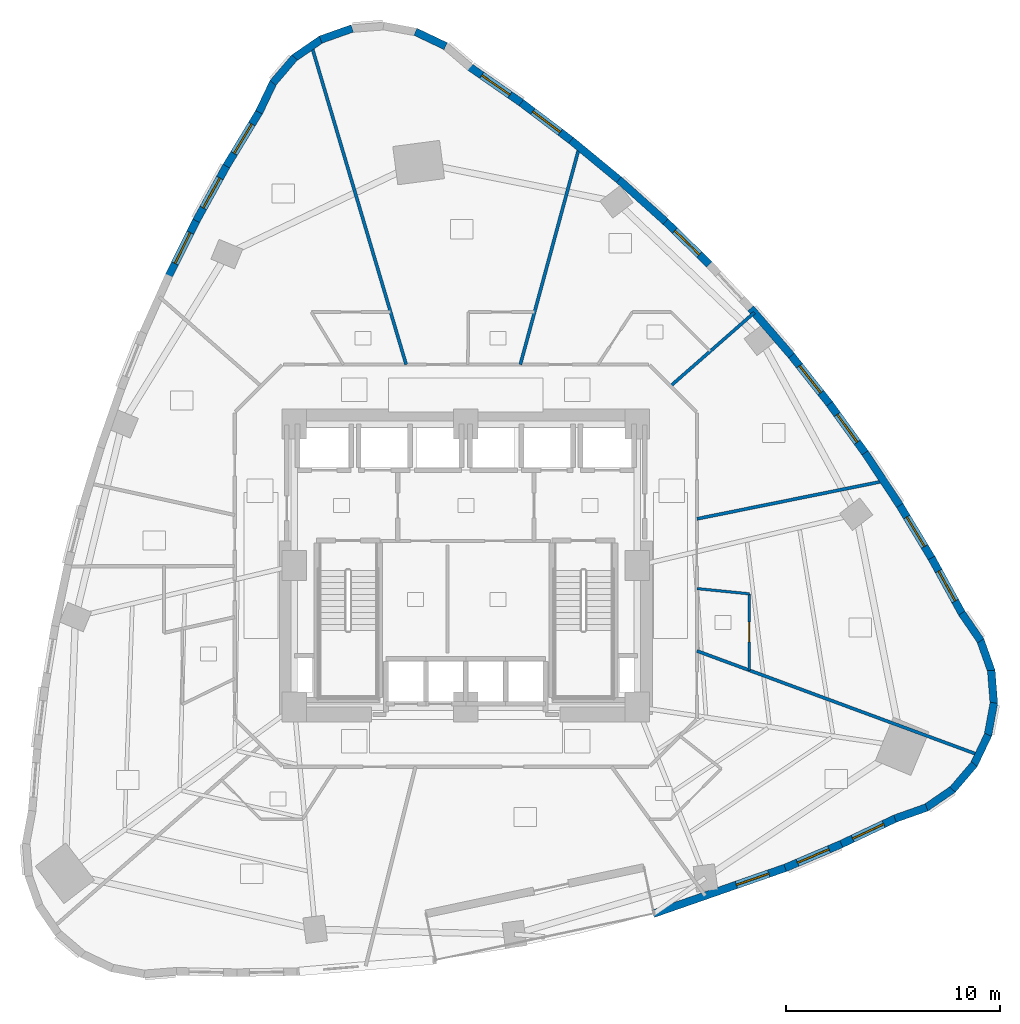
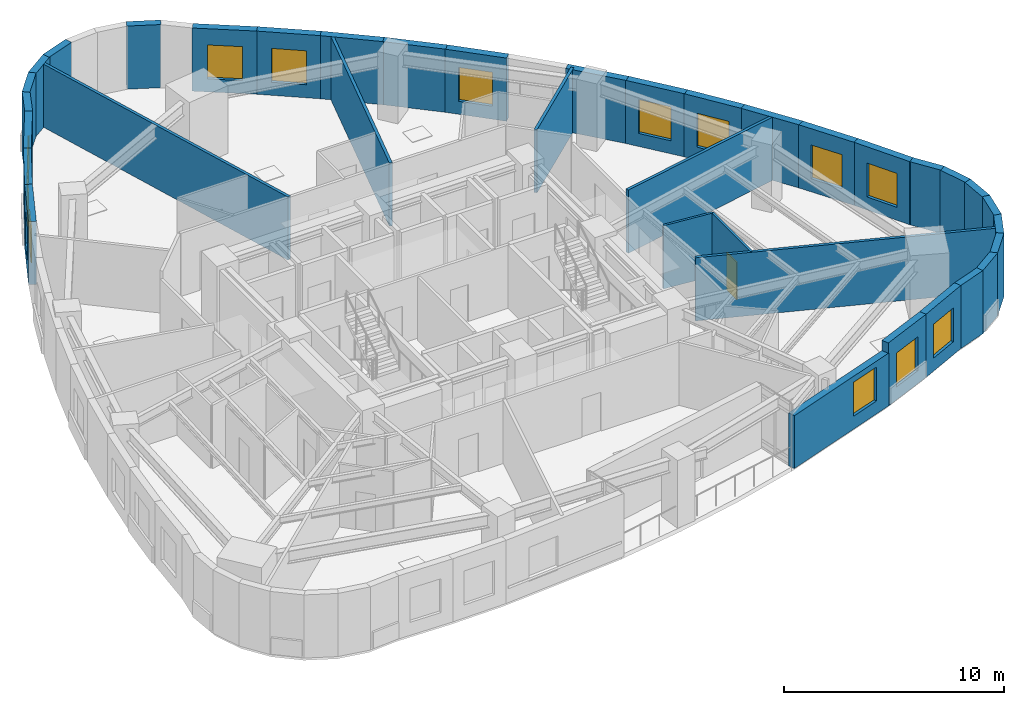
# One storey, part 8 of 12: 37 walls, 13 windows, 1 door, 14 openings.
"""IFC4 building model written with IfcOpenShell, lengths in metres."""

from ifc_helpers import new_model, si_unit, direction, frame, frame_2d, origin, place, context, subcontext, project, spatial, rectangle, extrude, material, layer, layer_set, type_object, element, fill, save


model = new_model("IFC4")

# Units and contexts
model_context = context("Model", 3, precision=1e-05, world=origin(), true_north=direction((0.0, 1.0)))
body_context = subcontext(model_context, "Body", "Model", "MODEL_VIEW")
ifc_project = project(units=[si_unit("LENGTHUNIT", "METRE"), si_unit("AREAUNIT", "SQUARE_METRE"), si_unit("VOLUMEUNIT", "CUBIC_METRE"), si_unit("PLANEANGLEUNIT", "RADIAN"), si_unit("MASSUNIT", "GRAM", prefix="KILO")], contexts=[model_context])

# Site, building, storey
site_placement = place(None, origin())
site = spatial("IfcSite", under=ifc_project, at=site_placement, CompositionType="ELEMENT")
building_placement = place(site_placement, origin())
building = spatial("IfcBuilding", under=site, at=building_placement, Name="Ndelora Gate Hotel", CompositionType="ELEMENT")
storey_placement = place(building_placement, frame((0.0, 0.0, 75.5)))
storey = spatial("IfcBuildingStorey", under=building, at=storey_placement, Name="L18", CompositionType="ELEMENT", Elevation=75.5)

# Walls
ifc_material_1 = material(Name="Clay Brick Masonry", Category="masonry")
ifc_layer_1 = layer(ifc_material_1, 0.360107421875)
ifc_layer_set_1 = layer_set([ifc_layer_1], Name="Clay Brick Masonry")
wall_type_1 = type_object("IfcWallType", Name="WL-BRICK-360", PredefinedType="SOLIDWALL", material=ifc_layer_set_1)
for number, where, z_axis, x_axis, name in (
    (1, (-2.3486328125, 24.90185546875, 0.0), (0.0, 0.0, 1.0), (0.902606480138, -0.430466656099, 0.0), "L18 Tower Brick Pier-and-Spandrel Wall TWR-2"),
    (2, (-6.77490234375, 24.534423828125, 0.0), (0.0, 0.0, 1.0), (0.942618014803, 0.333873146823, 0.0), "L18 Tower Brick Pier-and-Spandrel Wall TWR-5"),
    (3, (-8.019775390625, 23.6708984375, 0.0), (0.0, 0.0, 1.0), (0.824114783412, 0.56642283125, 0.0), "L18 Tower Brick Pier-and-Spandrel Wall TWR-6"),
):
    element("IfcWall", number, at=place(storey_placement, frame(where, z_axis=z_axis, x_axis=x_axis)), inside=storey, type_object=wall_type_1, Name=name, PredefinedType="SOLIDWALL", context=body_context, shape_type="SweptSolid", body=[
        extrude(rectangle(XDim=1.564208984375, YDim=0.360107421875, at=frame_2d((0.7822265625, 0.0))), origin(), (0.0, 0.0, 1.0), 3.5),
    ])
wall_1_placement = place(storey_placement, frame((-8.998779296875, 22.514892578125, 0.0), z_axis=(0.0, 0.0, 1.0), x_axis=(0.649517813113, 0.760346375312, 0.0)))
element("IfcWall", 4, at=wall_1_placement, inside=storey, type_object=wall_type_1, Name="L18 Tower Brick Pier-and-Spandrel Wall TWR-7", PredefinedType="SOLIDWALL", context=body_context, shape_type="SweptSolid", body=[
    extrude(rectangle(XDim=1.56396484375, YDim=0.360107421875, at=frame_2d((0.781982421875, 0.0))), origin(), (0.0, 0.0, 1.0), 3.5),
])
wall_2_placement = place(storey_placement, frame((-9.645263671875, 21.144775390625, 0.0), z_axis=(0.0, 0.0, 1.0), x_axis=(0.43065446152, 0.902516888913, 0.0)))
element("IfcWall", 5, at=wall_2_placement, inside=storey, type_object=wall_type_1, Name="L18 Tower Brick Pier-and-Spandrel Wall TWR-8", PredefinedType="SOLIDWALL", context=body_context, shape_type="SweptSolid", body=[
    extrude(rectangle(XDim=1.564208984375, YDim=0.360107421875, at=frame_2d((0.7822265625, 0.0))), origin(), (0.0, 0.0, 1.0), 3.5),
])

# Wall, opening, window
wall_3_placement = place(storey_placement, frame((-11.170166015625, 18.634521484375, 0.0), z_axis=(0.0, 0.0, 1.0), x_axis=(0.518504575646, 0.855074853469, 0.0)))
wall_3 = element("IfcWall", 6, at=wall_3_placement, inside=storey, type_object=wall_type_1, Name="L18 Tower Brick Pier-and-Spandrel Wall TWR-9", PredefinedType="SOLIDWALL", context=body_context, shape_type="SweptSolid", body=[
    extrude(rectangle(XDim=2.987060546875, YDim=0.360107421875, at=frame_2d((1.49365234375, 0.0))), origin(), (0.0, 0.0, 1.0), 3.5),
])
opening_1_placement = place(wall_3_placement, frame((0.693603515625, 0.0, 0.719970703125)))
opening_1 = element("IfcOpeningElement", 7, at=opening_1_placement, cuts=wall_3, Name="Opening W03", PredefinedType="OPENING", context=body_context, shape_type="SweptSolid", body=[
    extrude(rectangle(XDim=1.60009765625, YDim=1.8798828125, at=frame_2d((0.800048828125, 0.93994140625))), frame((0.0, 0.18994140625, 0.0), z_axis=(0.0, -1.0, 0.0), x_axis=(1.0, 0.0, 0.0)), (0.0, 0.0, 1.0), 0.380126953125),
])
ifc_material_2 = material(Name="Insulated Low-E Double Glazing in Bronze Aluminium Frame", Category="aluminium")
window_type_1 = type_object("IfcWindowType", Name="WN-CORN-2100", PartitioningType="SINGLE_PANEL", PredefinedType="WINDOW", material=ifc_material_2)
window_1_placement = place(opening_1_placement, origin())
window_1 = element("IfcWindow", 8, at=window_1_placement, inside=storey, type_object=window_type_1, Name="L18 Deep-Set Brick-Pier Window W03", OverallHeight=1.8798828125, OverallWidth=1.60009765625, PartitioningType="SINGLE_PANEL", PredefinedType="WINDOW", context=body_context, shape_type="SweptSolid", body=[
    extrude(rectangle(XDim=1.60009765625, YDim=1.8798828125, at=frame_2d((0.800048828125, 0.93994140625))), frame((0.0, 0.030029296875, 0.0), z_axis=(0.0, -1.0, 0.0), x_axis=(1.0, 0.0, 0.0)), (0.0, 0.0, 1.0), 0.06005859375),
])
fill(opening_1, window_1)

wall_4_placement = place(storey_placement, frame((-12.575927734375, 16.0849609375, 0.0), z_axis=(0.0, 0.0, 1.0), x_axis=(0.483184128778, 0.875518759192, 0.0)))
wall_4 = element("IfcWall", 9, at=wall_4_placement, inside=storey, type_object=wall_type_1, Name="L18 Tower Brick Pier-and-Spandrel Wall TWR-10", PredefinedType="SOLIDWALL", context=body_context, shape_type="SweptSolid", body=[
    extrude(rectangle(XDim=2.96142578125, YDim=0.360107421875, at=frame_2d((1.480712890625, 0.0))), origin(), (0.0, 0.0, 1.0), 3.5),
])
opening_2_placement = place(wall_4_placement, frame((0.6806640625, 0.0, 0.719970703125)))
opening_2 = element("IfcOpeningElement", 10, at=opening_2_placement, cuts=wall_4, Name="Opening W01", PredefinedType="OPENING", context=body_context, shape_type="SweptSolid", body=[
    extrude(rectangle(XDim=1.60009765625, YDim=1.8798828125, at=frame_2d((0.800048828125, 0.93994140625))), frame((0.0, 0.18994140625, 0.0), z_axis=(0.0, -1.0, 0.0), x_axis=(1.0, 0.0, 0.0)), (0.0, 0.0, 1.0), 0.380126953125),
])
window_type_2 = type_object("IfcWindowType", Name="WN-DEEP-1600", PartitioningType="SINGLE_PANEL", PredefinedType="WINDOW", material=ifc_material_2)
window_2_placement = place(opening_2_placement, origin())
window_2 = element("IfcWindow", 11, at=window_2_placement, inside=storey, type_object=window_type_2, Name="L18 Deep-Set Brick-Pier Window W01", OverallHeight=1.8798828125, OverallWidth=1.60009765625, PartitioningType="SINGLE_PANEL", PredefinedType="WINDOW", context=body_context, shape_type="SweptSolid", body=[
    extrude(rectangle(XDim=1.60009765625, YDim=1.8798828125, at=frame_2d((0.800048828125, 0.93994140625))), frame((0.0, 0.030029296875, 0.0), z_axis=(0.0, -1.0, 0.0), x_axis=(1.0, 0.0, 0.0)), (0.0, 0.0, 1.0), 0.06005859375),
])
fill(opening_2, window_2)

wall_5_placement = place(storey_placement, frame((-13.865234375, 13.49755859375, 0.0), z_axis=(0.0, 0.0, 1.0), x_axis=(0.446383231338, 0.894841891499, 0.0)))
wall_5 = element("IfcWall", 12, at=wall_5_placement, inside=storey, type_object=wall_type_1, Name="L18 Tower Brick Pier-and-Spandrel Wall TWR-11", PredefinedType="SOLIDWALL", context=body_context, shape_type="SweptSolid", body=[
    extrude(rectangle(XDim=2.94091796875, YDim=0.360107421875, at=frame_2d((1.470458984375, 0.0))), origin(), (0.0, 0.0, 1.0), 3.5),
])
opening_3_placement = place(wall_5_placement, frame((0.67041015625, 0.0, 0.719970703125)))
opening_3 = element("IfcOpeningElement", 13, at=opening_3_placement, cuts=wall_5, Name="Opening W01", PredefinedType="OPENING", context=body_context, shape_type="SweptSolid", body=[
    extrude(rectangle(XDim=1.60009765625, YDim=1.8798828125, at=frame_2d((0.800048828125, 0.93994140625))), frame((0.0, 0.18994140625, 0.0), z_axis=(0.0, -1.0, 0.0), x_axis=(1.0, 0.0, 0.0)), (0.0, 0.0, 1.0), 0.380126953125),
])
window_3_placement = place(opening_3_placement, origin())
window_3 = element("IfcWindow", 14, at=window_3_placement, inside=storey, type_object=window_type_2, Name="L18 Deep-Set Brick-Pier Window W01", OverallHeight=1.8798828125, OverallWidth=1.60009765625, PartitioningType="SINGLE_PANEL", PredefinedType="WINDOW", context=body_context, shape_type="SweptSolid", body=[
    extrude(rectangle(XDim=1.60009765625, YDim=1.8798828125, at=frame_2d((0.800048828125, 0.93994140625))), frame((0.0, 0.030029296875, 0.0), z_axis=(0.0, -1.0, 0.0), x_axis=(1.0, 0.0, 0.0)), (0.0, 0.0, 1.0), 0.06005859375),
])
fill(opening_3, window_3)

wall_6_placement = place(storey_placement, frame((14.9443359375, -14.084228515625, 0.0), z_axis=(0.0, 0.0, 1.0), x_axis=(-0.944459669929, -0.328627344993, 0.0)))
wall_6 = element("IfcWall", 15, at=wall_6_placement, inside=storey, type_object=wall_type_1, Name="L18 Tower Brick Pier-and-Spandrel Wall TWR-36", PredefinedType="SOLIDWALL", context=body_context, shape_type="SweptSolid", body=[
    extrude(rectangle(XDim=6.56591796875, YDim=0.360107421875, at=frame_2d((3.282958984375, 0.0))), origin(), (0.0, 0.0, 1.0), 2.929931640625),
])
opening_4_placement = place(wall_6_placement, frame((0.860107421875, 0.0, 0.719970703125)))
opening_4 = element("IfcOpeningElement", 16, at=opening_4_placement, cuts=wall_6, Name="Opening W01", PredefinedType="OPENING", context=body_context, shape_type="SweptSolid", body=[
    extrude(rectangle(XDim=1.60009765625, YDim=1.8798828125, at=frame_2d((0.800048828125, 0.93994140625))), frame((0.0, 0.18994140625, 0.0), z_axis=(0.0, -1.0, 0.0), x_axis=(1.0, 0.0, 0.0)), (0.0, 0.0, 1.0), 0.380126953125),
])
window_4_placement = place(opening_4_placement, origin())
window_4 = element("IfcWindow", 17, at=window_4_placement, inside=storey, type_object=window_type_2, Name="L18 Deep-Set Brick-Pier Window W01", OverallHeight=1.8798828125, OverallWidth=1.60009765625, PartitioningType="SINGLE_PANEL", PredefinedType="WINDOW", context=body_context, shape_type="SweptSolid", body=[
    extrude(rectangle(XDim=1.60009765625, YDim=1.8798828125, at=frame_2d((0.800048828125, 0.93994140625))), frame((0.0, 0.030029296875, 0.0), z_axis=(0.0, -1.0, 0.0), x_axis=(1.0, 0.0, 0.0)), (0.0, 0.0, 1.0), 0.06005859375),
])
fill(opening_4, window_4)

wall_7_placement = place(storey_placement, frame((17.517333984375, -12.988525390625, 0.0), z_axis=(0.0, 0.0, 1.0), x_axis=(-0.920276879824, -0.391267765681, 0.0)))
wall_7 = element("IfcWall", 18, at=wall_7_placement, inside=storey, type_object=wall_type_1, Name="L18 Tower Brick Pier-and-Spandrel Wall TWR-37", PredefinedType="SOLIDWALL", context=body_context, shape_type="SweptSolid", body=[
    extrude(rectangle(XDim=2.8466796875, YDim=0.360107421875, at=frame_2d((1.42333984375, 0.0))), origin(), (0.0, 0.0, 1.0), 3.5),
])
opening_5_placement = place(wall_7_placement, frame((0.623291015625, 0.0, 0.719970703125)))
opening_5 = element("IfcOpeningElement", 19, at=opening_5_placement, cuts=wall_7, Name="Opening W03", PredefinedType="OPENING", context=body_context, shape_type="SweptSolid", body=[
    extrude(rectangle(XDim=1.60009765625, YDim=1.8798828125, at=frame_2d((0.800048828125, 0.93994140625))), frame((0.0, 0.18994140625, 0.0), z_axis=(0.0, -1.0, 0.0), x_axis=(1.0, 0.0, 0.0)), (0.0, 0.0, 1.0), 0.380126953125),
])
window_5_placement = place(opening_5_placement, origin())
window_5 = element("IfcWindow", 20, at=window_5_placement, inside=storey, type_object=window_type_1, Name="L18 Deep-Set Brick-Pier Window W03", OverallHeight=1.8798828125, OverallWidth=1.60009765625, PartitioningType="SINGLE_PANEL", PredefinedType="WINDOW", context=body_context, shape_type="SweptSolid", body=[
    extrude(rectangle(XDim=1.60009765625, YDim=1.8798828125, at=frame_2d((0.800048828125, 0.93994140625))), frame((0.0, 0.030029296875, 0.0), z_axis=(0.0, -1.0, 0.0), x_axis=(1.0, 0.0, 0.0)), (0.0, 0.0, 1.0), 0.06005859375),
])
fill(opening_5, window_5)

wall_8_placement = place(storey_placement, frame((20.06689453125, -11.783447265625, 0.0), z_axis=(0.0, 0.0, 1.0), x_axis=(-0.904239522863, -0.427025626037, 0.0)))
wall_8 = element("IfcWall", 21, at=wall_8_placement, inside=storey, type_object=wall_type_1, Name="L18 Tower Brick Pier-and-Spandrel Wall TWR-38", PredefinedType="SOLIDWALL", context=body_context, shape_type="SweptSolid", body=[
    extrude(rectangle(XDim=2.8701171875, YDim=0.360107421875, at=frame_2d((1.43505859375, 0.0))), origin(), (0.0, 0.0, 1.0), 3.5),
])
opening_6_placement = place(wall_8_placement, frame((0.635009765625, 0.0, 0.719970703125)))
opening_6 = element("IfcOpeningElement", 22, at=opening_6_placement, cuts=wall_8, Name="Opening W01", PredefinedType="OPENING", context=body_context, shape_type="SweptSolid", body=[
    extrude(rectangle(XDim=1.60009765625, YDim=1.8798828125, at=frame_2d((0.800048828125, 0.93994140625))), frame((0.0, 0.18994140625, 0.0), z_axis=(0.0, -1.0, 0.0), x_axis=(1.0, 0.0, 0.0)), (0.0, 0.0, 1.0), 0.380126953125),
])
window_6_placement = place(opening_6_placement, origin())
window_6 = element("IfcWindow", 23, at=window_6_placement, inside=storey, type_object=window_type_2, Name="L18 Deep-Set Brick-Pier Window W01", OverallHeight=1.8798828125, OverallWidth=1.60009765625, PartitioningType="SINGLE_PANEL", PredefinedType="WINDOW", context=body_context, shape_type="SweptSolid", body=[
    extrude(rectangle(XDim=1.60009765625, YDim=1.8798828125, at=frame_2d((0.800048828125, 0.93994140625))), frame((0.0, 0.030029296875, 0.0), z_axis=(0.0, -1.0, 0.0), x_axis=(1.0, 0.0, 0.0)), (0.0, 0.0, 1.0), 0.06005859375),
])
fill(opening_6, window_6)

# Walls
wall_9_placement = place(storey_placement, frame((21.4951171875, -11.280517578125, 0.0), z_axis=(0.0, 0.0, 1.0), x_axis=(-0.942667130503, -0.333734446931, 0.0)))
element("IfcWall", 24, at=wall_9_placement, inside=storey, type_object=wall_type_1, Name="L18 Tower Brick Pier-and-Spandrel Wall TWR-39", PredefinedType="SOLIDWALL", context=body_context, shape_type="SweptSolid", body=[
    extrude(rectangle(XDim=1.56396484375, YDim=0.360107421875, at=frame_2d((0.781982421875, 0.0))), origin(), (0.0, 0.0, 1.0), 3.5),
])
wall_10_placement = place(storey_placement, frame((22.739990234375, -10.4169921875, 0.0), z_axis=(0.0, 0.0, 1.0), x_axis=(-0.824114783412, -0.56642283125, 0.0)))
element("IfcWall", 25, at=wall_10_placement, inside=storey, type_object=wall_type_1, Name="L18 Tower Brick Pier-and-Spandrel Wall TWR-40", PredefinedType="SOLIDWALL", context=body_context, shape_type="SweptSolid", body=[
    extrude(rectangle(XDim=1.564208984375, YDim=0.360107421875, at=frame_2d((0.7822265625, 0.0))), origin(), (0.0, 0.0, 1.0), 3.5),
])
wall_11_placement = place(storey_placement, frame((23.718994140625, -9.260986328125, 0.0), z_axis=(0.0, 0.0, 1.0), x_axis=(-0.649517813113, -0.760346375312, 0.0)))
element("IfcWall", 26, at=wall_11_placement, inside=storey, type_object=wall_type_1, Name="L18 Tower Brick Pier-and-Spandrel Wall TWR-41", PredefinedType="SOLIDWALL", context=body_context, shape_type="SweptSolid", body=[
    extrude(rectangle(XDim=1.56396484375, YDim=0.360107421875, at=frame_2d((0.781982421875, 0.0))), origin(), (0.0, 0.0, 1.0), 3.5),
])
for number, where, z_axis, x_axis, name in (
    (27, (24.365234375, -7.890625, 0.0), (0.0, 0.0, 1.0), (-0.430466656099, -0.902606480138, 0.0), "L18 Tower Brick Pier-and-Spandrel Wall TWR-42"),
    (28, (24.635009765625, -6.39990234375, 0.0), (0.0, 0.0, 1.0), (-0.18229045082, -0.983244726169, 0.0), "L18 Tower Brick Pier-and-Spandrel Wall TWR-43"),
    (29, (24.509521484375, -4.89013671875, 0.0), (0.0, 0.0, 1.0), (0.078510627557, -0.99691327675, 0.0), "L18 Tower Brick Pier-and-Spandrel Wall TWR-44"),
):
    element("IfcWall", number, at=place(storey_placement, frame(where, z_axis=z_axis, x_axis=x_axis)), inside=storey, type_object=wall_type_1, Name=name, PredefinedType="SOLIDWALL", context=body_context, shape_type="SweptSolid", body=[
        extrude(rectangle(XDim=1.564208984375, YDim=0.360107421875, at=frame_2d((0.7822265625, 0.0))), origin(), (0.0, 0.0, 1.0), 3.5),
    ])
wall_12_placement = place(storey_placement, frame((23.997802734375, -3.464111328125, 0.0), z_axis=(0.0, 0.0, 1.0), x_axis=(0.333824030251, -0.94263541034, 0.0)))
element("IfcWall", 30, at=wall_12_placement, inside=storey, type_object=wall_type_1, Name="L18 Tower Brick Pier-and-Spandrel Wall TWR-45", PredefinedType="SOLIDWALL", context=body_context, shape_type="SweptSolid", body=[
    extrude(rectangle(XDim=1.564453125, YDim=0.360107421875, at=frame_2d((0.7822265625, 0.0))), origin(), (0.0, 0.0, 1.0), 3.5),
])
wall_13_placement = place(storey_placement, frame((23.134521484375, -2.219482421875, 0.0), z_axis=(0.0, 0.0, 1.0), x_axis=(0.566495697246, -0.824064697097, 0.0)))
element("IfcWall", 31, at=wall_13_placement, inside=storey, type_object=wall_type_1, Name="L18 Tower Brick Pier-and-Spandrel Wall TWR-46", PredefinedType="SOLIDWALL", context=body_context, shape_type="SweptSolid", body=[
    extrude(rectangle(XDim=1.56396484375, YDim=0.360107421875, at=frame_2d((0.781982421875, 0.0))), origin(), (0.0, 0.0, 1.0), 3.5),
])

# Wall, opening, window
wall_14_placement = place(storey_placement, frame((21.72314453125, 0.3564453125, 0.0), z_axis=(0.0, 0.0, 1.0), x_axis=(0.481244034987, -0.876586663593, 0.0)))
wall_14 = element("IfcWall", 32, at=wall_14_placement, inside=storey, type_object=wall_type_1, Name="L18 Tower Brick Pier-and-Spandrel Wall TWR-47", PredefinedType="SOLIDWALL", context=body_context, shape_type="SweptSolid", body=[
    extrude(rectangle(XDim=2.987060546875, YDim=0.360107421875, at=frame_2d((1.49365234375, 0.0))), origin(), (0.0, 0.0, 1.0), 3.5),
])
opening_7_placement = place(wall_14_placement, frame((0.693603515625, 0.0, 0.719970703125)))
opening_7 = element("IfcOpeningElement", 33, at=opening_7_placement, cuts=wall_14, Name="Opening W01", PredefinedType="OPENING", context=body_context, shape_type="SweptSolid", body=[
    extrude(rectangle(XDim=1.60009765625, YDim=1.8798828125, at=frame_2d((0.800048828125, 0.93994140625))), frame((0.0, 0.18994140625, 0.0), z_axis=(0.0, -1.0, 0.0), x_axis=(1.0, 0.0, 0.0)), (0.0, 0.0, 1.0), 0.380126953125),
])
window_7_placement = place(opening_7_placement, origin())
window_7 = element("IfcWindow", 34, at=window_7_placement, inside=storey, type_object=window_type_2, Name="L18 Deep-Set Brick-Pier Window W01", OverallHeight=1.8798828125, OverallWidth=1.60009765625, PartitioningType="SINGLE_PANEL", PredefinedType="WINDOW", context=body_context, shape_type="SweptSolid", body=[
    extrude(rectangle(XDim=1.60009765625, YDim=1.8798828125, at=frame_2d((0.800048828125, 0.93994140625))), frame((0.0, 0.030029296875, 0.0), z_axis=(0.0, -1.0, 0.0), x_axis=(1.0, 0.0, 0.0)), (0.0, 0.0, 1.0), 0.06005859375),
])
fill(opening_7, window_7)

wall_15_placement = place(storey_placement, frame((20.218017578125, 2.848388671875, 0.0), z_axis=(0.0, 0.0, 1.0), x_axis=(0.516676429869, -0.856180744246, 0.0)))
wall_15 = element("IfcWall", 35, at=wall_15_placement, inside=storey, type_object=wall_type_1, Name="L18 Tower Brick Pier-and-Spandrel Wall TWR-48", PredefinedType="SOLIDWALL", context=body_context, shape_type="SweptSolid", body=[
    extrude(rectangle(XDim=2.961181640625, YDim=0.360107421875, at=frame_2d((1.48046875, 0.0))), origin(), (0.0, 0.0, 1.0), 3.5),
])
opening_8_placement = place(wall_15_placement, frame((0.6806640625, 0.0, 0.719970703125)))
opening_8 = element("IfcOpeningElement", 36, at=opening_8_placement, cuts=wall_15, Name="Opening W01", PredefinedType="OPENING", context=body_context, shape_type="SweptSolid", body=[
    extrude(rectangle(XDim=1.60009765625, YDim=1.8798828125, at=frame_2d((0.800048828125, 0.93994140625))), frame((0.0, 0.18994140625, 0.0), z_axis=(0.0, -1.0, 0.0), x_axis=(1.0, 0.0, 0.0)), (0.0, 0.0, 1.0), 0.380126953125),
])
window_8_placement = place(opening_8_placement, origin())
window_8 = element("IfcWindow", 37, at=window_8_placement, inside=storey, type_object=window_type_2, Name="L18 Deep-Set Brick-Pier Window W01", OverallHeight=1.8798828125, OverallWidth=1.60009765625, PartitioningType="SINGLE_PANEL", PredefinedType="WINDOW", context=body_context, shape_type="SweptSolid", body=[
    extrude(rectangle(XDim=1.60009765625, YDim=1.8798828125, at=frame_2d((0.800048828125, 0.93994140625))), frame((0.0, 0.030029296875, 0.0), z_axis=(0.0, -1.0, 0.0), x_axis=(1.0, 0.0, 0.0)), (0.0, 0.0, 1.0), 0.06005859375),
])
fill(opening_8, window_8)

# Wall
wall_16_placement = place(storey_placement, frame((18.621826171875, 5.2587890625, 0.0), z_axis=(0.0, 0.0, 1.0), x_axis=(0.55184227767, -0.833948499954, 0.0)))
element("IfcWall", 38, at=wall_16_placement, inside=storey, type_object=wall_type_1, Name="L18 Tower Brick Pier-and-Spandrel Wall TWR-49", PredefinedType="SOLIDWALL", context=body_context, shape_type="SweptSolid", body=[
    extrude(rectangle(XDim=2.940673828125, YDim=0.360107421875, at=frame_2d((1.47021484375, 0.0))), origin(), (0.0, 0.0, 1.0), 3.5),
])

# Wall, opening, window
wall_17_placement = place(storey_placement, frame((16.93505859375, 7.58740234375, 0.0), z_axis=(0.0, 0.0, 1.0), x_axis=(0.586373875889, -0.81004054076, 0.0)))
wall_17 = element("IfcWall", 39, at=wall_17_placement, inside=storey, type_object=wall_type_1, Name="L18 Tower Brick Pier-and-Spandrel Wall TWR-50", PredefinedType="SOLIDWALL", context=body_context, shape_type="SweptSolid", body=[
    extrude(rectangle(XDim=2.92529296875, YDim=0.360107421875, at=frame_2d((1.462646484375, 0.0))), origin(), (0.0, 0.0, 1.0), 3.5),
])
opening_9_placement = place(wall_17_placement, frame((0.66259765625, 0.0, 0.719970703125)))
opening_9 = element("IfcOpeningElement", 40, at=opening_9_placement, cuts=wall_17, Name="Opening W01", PredefinedType="OPENING", context=body_context, shape_type="SweptSolid", body=[
    extrude(rectangle(XDim=1.60009765625, YDim=1.8798828125, at=frame_2d((0.800048828125, 0.93994140625))), frame((0.0, 0.18994140625, 0.0), z_axis=(0.0, -1.0, 0.0), x_axis=(1.0, 0.0, 0.0)), (0.0, 0.0, 1.0), 0.380126953125),
])
window_9_placement = place(opening_9_placement, origin())
window_9 = element("IfcWindow", 41, at=window_9_placement, inside=storey, type_object=window_type_2, Name="L18 Deep-Set Brick-Pier Window W01", OverallHeight=1.8798828125, OverallWidth=1.60009765625, PartitioningType="SINGLE_PANEL", PredefinedType="WINDOW", context=body_context, shape_type="SweptSolid", body=[
    extrude(rectangle(XDim=1.60009765625, YDim=1.8798828125, at=frame_2d((0.800048828125, 0.93994140625))), frame((0.0, 0.030029296875, 0.0), z_axis=(0.0, -1.0, 0.0), x_axis=(1.0, 0.0, 0.0)), (0.0, 0.0, 1.0), 0.06005859375),
])
fill(opening_9, window_9)

wall_18_placement = place(storey_placement, frame((15.157470703125, 9.833984375, 0.0), z_axis=(0.0, 0.0, 1.0), x_axis=(0.62019003534, -0.784451604667, 0.0)))
wall_18 = element("IfcWall", 42, at=wall_18_placement, inside=storey, type_object=wall_type_1, Name="L18 Tower Brick Pier-and-Spandrel Wall TWR-51", PredefinedType="SOLIDWALL", context=body_context, shape_type="SweptSolid", body=[
    extrude(rectangle(XDim=2.91455078125, YDim=0.360107421875, at=frame_2d((1.457275390625, 0.0))), origin(), (0.0, 0.0, 1.0), 3.5),
])
opening_10_placement = place(wall_18_placement, frame((0.657470703125, 0.0, 0.719970703125)))
opening_10 = element("IfcOpeningElement", 43, at=opening_10_placement, cuts=wall_18, Name="Opening W01", PredefinedType="OPENING", context=body_context, shape_type="SweptSolid", body=[
    extrude(rectangle(XDim=1.60009765625, YDim=1.8798828125, at=frame_2d((0.800048828125, 0.93994140625))), frame((0.0, 0.18994140625, 0.0), z_axis=(0.0, -1.0, 0.0), x_axis=(1.0, 0.0, 0.0)), (0.0, 0.0, 1.0), 0.380126953125),
])
window_10_placement = place(opening_10_placement, origin())
window_10 = element("IfcWindow", 44, at=window_10_placement, inside=storey, type_object=window_type_2, Name="L18 Deep-Set Brick-Pier Window W01", OverallHeight=1.8798828125, OverallWidth=1.60009765625, PartitioningType="SINGLE_PANEL", PredefinedType="WINDOW", context=body_context, shape_type="SweptSolid", body=[
    extrude(rectangle(XDim=1.60009765625, YDim=1.8798828125, at=frame_2d((0.800048828125, 0.93994140625))), frame((0.0, 0.030029296875, 0.0), z_axis=(0.0, -1.0, 0.0), x_axis=(1.0, 0.0, 0.0)), (0.0, 0.0, 1.0), 0.06005859375),
])
fill(opening_10, window_10)

# Wall
wall_19_placement = place(storey_placement, frame((13.288818359375, 11.9990234375, 0.0), z_axis=(0.0, 0.0, 1.0), x_axis=(0.653123840967, -0.757251113146, 0.0)))
element("IfcWall", 45, at=wall_19_placement, inside=storey, type_object=wall_type_1, Name="L18 Tower Brick Pier-and-Spandrel Wall TWR-52", PredefinedType="SOLIDWALL", context=body_context, shape_type="SweptSolid", body=[
    extrude(rectangle(XDim=2.90966796875, YDim=0.360107421875, at=frame_2d((1.454833984375, 0.0))), origin(), (0.0, 0.0, 1.0), 3.5),
])

# Wall, opening, window
wall_20_placement = place(storey_placement, frame((9.279541015625, 16.083251953125, 0.0), z_axis=(0.0, 0.0, 1.0), x_axis=(0.715308991841, -0.698808304324, 0.0)))
wall_20 = element("IfcWall", 46, at=wall_20_placement, inside=storey, type_object=wall_type_1, Name="L18 Tower Brick Pier-and-Spandrel Wall TWR-54", PredefinedType="SOLIDWALL", context=body_context, shape_type="SweptSolid", body=[
    extrude(rectangle(XDim=2.914794921875, YDim=0.360107421875, at=frame_2d((1.45751953125, 0.0))), origin(), (0.0, 0.0, 1.0), 3.5),
])
opening_11_placement = place(wall_20_placement, frame((0.657470703125, 0.0, 0.719970703125)))
opening_11 = element("IfcOpeningElement", 47, at=opening_11_placement, cuts=wall_20, Name="Opening W01", PredefinedType="OPENING", context=body_context, shape_type="SweptSolid", body=[
    extrude(rectangle(XDim=1.60009765625, YDim=1.8798828125, at=frame_2d((0.800048828125, 0.93994140625))), frame((0.0, 0.18994140625, 0.0), z_axis=(0.0, -1.0, 0.0), x_axis=(1.0, 0.0, 0.0)), (0.0, 0.0, 1.0), 0.380126953125),
])
window_11_placement = place(opening_11_placement, origin())
window_11 = element("IfcWindow", 48, at=window_11_placement, inside=storey, type_object=window_type_2, Name="L18 Deep-Set Brick-Pier Window W01", OverallHeight=1.8798828125, OverallWidth=1.60009765625, PartitioningType="SINGLE_PANEL", PredefinedType="WINDOW", context=body_context, shape_type="SweptSolid", body=[
    extrude(rectangle(XDim=1.60009765625, YDim=1.8798828125, at=frame_2d((0.800048828125, 0.93994140625))), frame((0.0, 0.030029296875, 0.0), z_axis=(0.0, -1.0, 0.0), x_axis=(1.0, 0.0, 0.0)), (0.0, 0.0, 1.0), 0.06005859375),
])
fill(opening_11, window_11)

# Walls
wall_21_placement = place(storey_placement, frame((7.138671875, 18.002685546875, 0.0), z_axis=(0.0, 0.0, 1.0), x_axis=(0.744297597045, -0.667848101767, 0.0)))
element("IfcWall", 49, at=wall_21_placement, inside=storey, type_object=wall_type_1, Name="L18 Tower Brick Pier-and-Spandrel Wall TWR-55", PredefinedType="SOLIDWALL", context=body_context, shape_type="SweptSolid", body=[
    extrude(rectangle(XDim=2.92529296875, YDim=0.360107421875, at=frame_2d((1.462646484375, 0.0))), origin(), (0.0, 0.0, 1.0), 3.5),
])
wall_22_placement = place(storey_placement, frame((4.906982421875, 19.84033203125, 0.0), z_axis=(0.0, 0.0, 1.0), x_axis=(0.771748074842, -0.635928383529, 0.0)))
element("IfcWall", 50, at=wall_22_placement, inside=storey, type_object=wall_type_1, Name="L18 Tower Brick Pier-and-Spandrel Wall TWR-56", PredefinedType="SOLIDWALL", context=body_context, shape_type="SweptSolid", body=[
    extrude(rectangle(XDim=2.940673828125, YDim=0.360107421875, at=frame_2d((1.47021484375, 0.0))), origin(), (0.0, 0.0, 1.0), 3.5),
])

# Wall, opening, window
wall_23_placement = place(storey_placement, frame((2.584716796875, 21.59619140625, 0.0), z_axis=(0.0, 0.0, 1.0), x_axis=(0.797450341729, -0.603384580907, 0.0)))
wall_23 = element("IfcWall", 51, at=wall_23_placement, inside=storey, type_object=wall_type_1, Name="L18 Tower Brick Pier-and-Spandrel Wall TWR-57", PredefinedType="SOLIDWALL", context=body_context, shape_type="SweptSolid", body=[
    extrude(rectangle(XDim=2.96142578125, YDim=0.360107421875, at=frame_2d((1.480712890625, 0.0))), origin(), (0.0, 0.0, 1.0), 3.5),
])
opening_12_placement = place(wall_23_placement, frame((0.6806640625, 0.0, 0.719970703125)))
opening_12 = element("IfcOpeningElement", 52, at=opening_12_placement, cuts=wall_23, Name="Opening W03", PredefinedType="OPENING", context=body_context, shape_type="SweptSolid", body=[
    extrude(rectangle(XDim=1.60009765625, YDim=1.8798828125, at=frame_2d((0.800048828125, 0.93994140625))), frame((0.0, 0.18994140625, 0.0), z_axis=(0.0, -1.0, 0.0), x_axis=(1.0, 0.0, 0.0)), (0.0, 0.0, 1.0), 0.380126953125),
])
window_12_placement = place(opening_12_placement, origin())
window_12 = element("IfcWindow", 53, at=window_12_placement, inside=storey, type_object=window_type_1, Name="L18 Deep-Set Brick-Pier Window W03", OverallHeight=1.8798828125, OverallWidth=1.60009765625, PartitioningType="SINGLE_PANEL", PredefinedType="WINDOW", context=body_context, shape_type="SweptSolid", body=[
    extrude(rectangle(XDim=1.60009765625, YDim=1.8798828125, at=frame_2d((0.800048828125, 0.93994140625))), frame((0.0, 0.030029296875, 0.0), z_axis=(0.0, -1.0, 0.0), x_axis=(1.0, 0.0, 0.0)), (0.0, 0.0, 1.0), 0.06005859375),
])
fill(opening_12, window_12)

wall_24_placement = place(storey_placement, frame((0.17138671875, 23.270263671875, 0.0), z_axis=(0.0, 0.0, 1.0), x_axis=(0.821452927514, -0.570276325897, 0.0)))
wall_24 = element("IfcWall", 54, at=wall_24_placement, inside=storey, type_object=wall_type_1, Name="L18 Tower Brick Pier-and-Spandrel Wall TWR-58", PredefinedType="SOLIDWALL", context=body_context, shape_type="SweptSolid", body=[
    extrude(rectangle(XDim=2.98681640625, YDim=0.360107421875, at=frame_2d((1.493408203125, 0.0))), origin(), (0.0, 0.0, 1.0), 3.5),
])
opening_13_placement = place(wall_24_placement, frame((0.693603515625, 0.0, 0.719970703125)))
opening_13 = element("IfcOpeningElement", 55, at=opening_13_placement, cuts=wall_24, Name="Opening W01", PredefinedType="OPENING", context=body_context, shape_type="SweptSolid", body=[
    extrude(rectangle(XDim=1.60009765625, YDim=1.8798828125, at=frame_2d((0.800048828125, 0.93994140625))), frame((0.0, 0.18994140625, 0.0), z_axis=(0.0, -1.0, 0.0), x_axis=(1.0, 0.0, 0.0)), (0.0, 0.0, 1.0), 0.380126953125),
])
window_13_placement = place(opening_13_placement, origin())
window_13 = element("IfcWindow", 56, at=window_13_placement, inside=storey, type_object=window_type_2, Name="L18 Deep-Set Brick-Pier Window W01", OverallHeight=1.8798828125, OverallWidth=1.60009765625, PartitioningType="SINGLE_PANEL", PredefinedType="WINDOW", context=body_context, shape_type="SweptSolid", body=[
    extrude(rectangle(XDim=1.60009765625, YDim=1.8798828125, at=frame_2d((0.800048828125, 0.93994140625))), frame((0.0, 0.030029296875, 0.0), z_axis=(0.0, -1.0, 0.0), x_axis=(1.0, 0.0, 0.0)), (0.0, 0.0, 1.0), 0.06005859375),
])
fill(opening_13, window_13)

# Walls
ifc_material_3 = material(Name="Fire-Rated Gypsum Stud Partition", Category="gypsum")
ifc_layer_2 = layer(ifc_material_3, 0.14990234375)
ifc_layer_set_2 = layer_set([ifc_layer_2], Name="Fire-Rated Gypsum Stud Partition")
wall_type_2 = type_object("IfcWallType", Name="WL-PART-150", PredefinedType="PARTITIONING", material=ifc_layer_set_2)
wall_25_placement = place(storey_placement, frame((10.780029296875, -3.97998046875, 0.0), z_axis=(0.0, 0.0, 1.0), x_axis=(0.938109546053, -0.346338677604, 0.0)))
element("IfcWall", 57, at=wall_25_placement, inside=storey, type_object=wall_type_2, Name="L18 Interior Wall IW-5", PredefinedType="PARTITIONING", context=body_context, shape_type="SweptSolid", body=[
    extrude(rectangle(XDim=14.00390625, YDim=0.14990234375, at=frame_2d((7.001953125, 0.0))), origin(), (0.0, 0.0, 1.0), 3.5),
])
wall_26_placement = place(storey_placement, frame((10.780029296875, 2.180419921875, 0.0), z_axis=(0.0, 0.0, 1.0), x_axis=(0.980159069469, 0.198212508528, 0.0)))
element("IfcWall", 58, at=wall_26_placement, inside=storey, type_object=wall_type_2, Name="L18 Interior Wall IW-5", PredefinedType="PARTITIONING", context=body_context, shape_type="SweptSolid", body=[
    extrude(rectangle(XDim=8.88916015625, YDim=0.14990234375, at=frame_2d((4.444580078125, 0.0))), origin(), (0.0, 0.0, 1.0), 3.5),
])
wall_27_placement = place(storey_placement, frame((9.552490234375, 8.37744140625, 0.0), z_axis=(0.0, 0.0, 1.0), x_axis=(0.751836766188, 0.659349283012, 0.0)))
element("IfcWall", 59, at=wall_27_placement, inside=storey, type_object=wall_type_2, Name="L18 Interior Wall IW-5", PredefinedType="PARTITIONING", context=body_context, shape_type="SweptSolid", body=[
    extrude(rectangle(XDim=5.195068359375, YDim=0.14990234375, at=frame_2d((2.59765625, 0.0))), origin(), (0.0, 0.0, 1.0), 3.5),
])
wall_28_placement = place(storey_placement, frame((2.543212890625, 9.3798828125, 0.0), z_axis=(0.0, 0.0, 1.0), x_axis=(0.26169188867, 0.965151467597, 0.0)))
element("IfcWall", 60, at=wall_28_placement, inside=storey, type_object=wall_type_2, Name="L18 Interior Wall IW-5", PredefinedType="PARTITIONING", context=body_context, shape_type="SweptSolid", body=[
    extrude(rectangle(XDim=10.508544921875, YDim=0.14990234375, at=frame_2d((5.25439453125, 0.0))), origin(), (0.0, 0.0, 1.0), 3.5),
])
wall_29_placement = place(storey_placement, frame((-2.783447265625, 9.3798828125, 0.0), z_axis=(0.0, 0.0, 1.0), x_axis=(-0.284496959379, 0.958676942512, 0.0)))
element("IfcWall", 61, at=wall_29_placement, inside=storey, type_object=wall_type_2, Name="L18 Interior Wall IW-5", PredefinedType="PARTITIONING", context=body_context, shape_type="SweptSolid", body=[
    extrude(rectangle(XDim=15.499755859375, YDim=0.14990234375, at=frame_2d((7.75, 0.0))), origin(), (0.0, 0.0, 1.0), 3.5),
])
ifc_material_4 = material(Name="Moisture-Resistant Bathroom Tile Partition", Category="gypsum")
ifc_layer_3 = layer(ifc_material_4, 0.1201171875)
ifc_layer_set_3 = layer_set([ifc_layer_3], Name="Moisture-Resistant Bathroom Tile Partition")
wall_type_3 = type_object("IfcWallType", Name="WL-WET-120", PredefinedType="PARTITIONING", material=ifc_layer_set_3)
wall_30_placement = place(storey_placement, frame((13.22998046875, -1.316650390625, 0.0), z_axis=(0.0, 0.0, 1.0), x_axis=(-0.995081272799, 0.099061902494, 0.0)))
element("IfcWall", 62, at=wall_30_placement, inside=storey, type_object=wall_type_3, Name="L18 Interior Wall IW-7", PredefinedType="PARTITIONING", context=body_context, shape_type="SweptSolid", body=[
    extrude(rectangle(XDim=2.462158203125, YDim=0.1201171875, at=frame_2d((1.23095703125, 0.0))), origin(), (0.0, 0.0, 1.0), 3.5),
])

# Wall, opening, door
wall_31_placement = place(storey_placement, frame((13.22998046875, -1.316650390625, 0.0), z_axis=(0.0, 0.0, 1.0), x_axis=(0.0, -1.0, 0.0)))
wall_31 = element("IfcWall", 63, at=wall_31_placement, inside=storey, type_object=wall_type_3, Name="L18 Interior Wall IW-7", PredefinedType="PARTITIONING", context=body_context, shape_type="SweptSolid", body=[
    extrude(rectangle(XDim=3.56787109375, YDim=0.1201171875, at=frame_2d((1.783935546875, 0.0))), origin(), (0.0, 0.0, 1.0), 3.5),
])
opening_14_placement = place(wall_31_placement, frame((1.323974609375, 0.0, 0.0)))
opening_14 = element("IfcOpeningElement", 64, at=opening_14_placement, cuts=wall_31, Name="Opening D03", PredefinedType="OPENING", context=body_context, shape_type="SweptSolid", body=[
    extrude(rectangle(XDim=0.919921875, YDim=2.10009765625, at=frame_2d((0.4599609375, 1.050048828125))), frame((0.0, 0.070068359375, 0.0), z_axis=(0.0, -1.0, 0.0), x_axis=(1.0, 0.0, 0.0)), (0.0, 0.0, 1.0), 0.14013671875),
])
ifc_material_5 = material(Name="Moisture-Resistant Hardwood En-Suite Door", Category="wood")
door_type = type_object("IfcDoorType", Name="DR-BATH-920", OperationType="SINGLE_SWING_LEFT", PredefinedType="DOOR", material=ifc_material_5)
door_placement = place(opening_14_placement, origin())
door = element("IfcDoor", 65, at=door_placement, inside=storey, type_object=door_type, Name="L18 En-suite Bathroom 2104 Door", OperationType="SINGLE_SWING_LEFT", OverallHeight=2.10009765625, OverallWidth=0.919921875, PredefinedType="DOOR", context=body_context, shape_type="SweptSolid", body=[
    extrude(rectangle(XDim=0.919921875, YDim=2.10009765625, at=frame_2d((0.4599609375, 1.050048828125))), frame((0.0, 0.02490234375, 0.0), z_axis=(0.0, -1.0, 0.0), x_axis=(1.0, 0.0, 0.0)), (0.0, 0.0, 1.0), 0.050048828125),
])
fill(opening_14, door)

save(model, "model.ifc")
